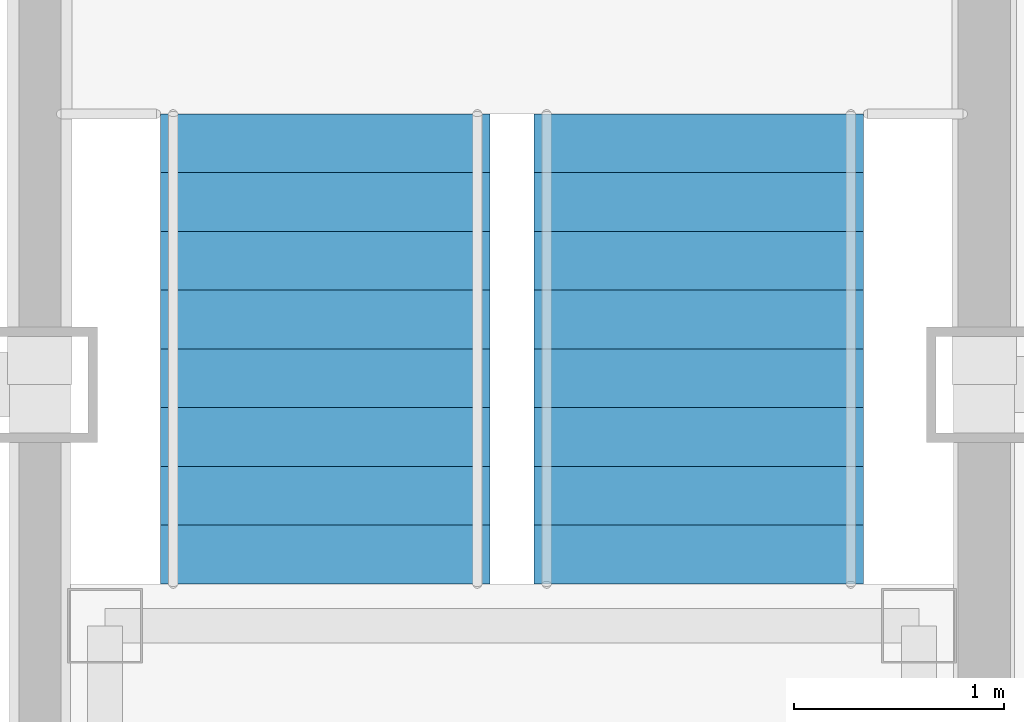
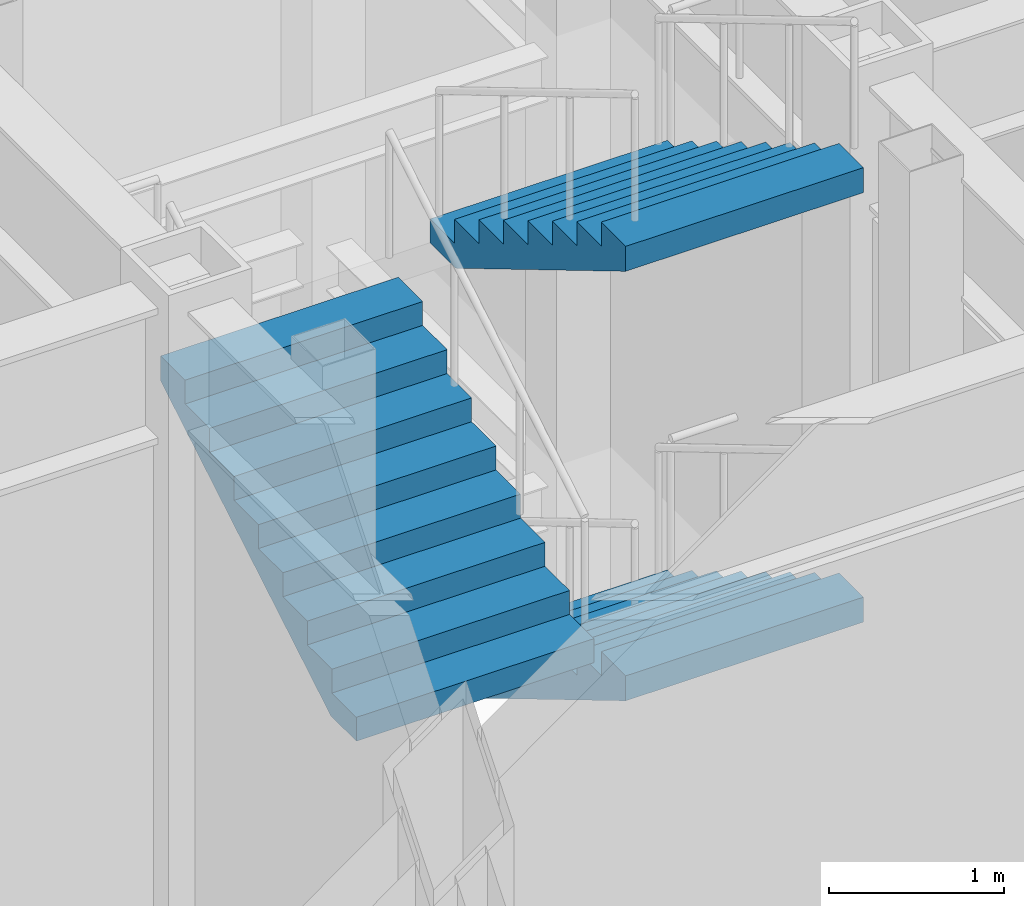
# One storey, part 21 of 29: 3 stair flights, 1 element without a shape of its own.
"""IFC4 building model written with IfcOpenShell, lengths in metres."""

import ifcopenshell
import ifcopenshell.guid

model = None  # the IFC model being written
_history = None  # IfcOwnerHistory: only IFC2X3 demands one
_inside = {}  # id of a spatial element -> (the spatial element, [elements in it])
_under = {}  # id of a project, library or spatial element -> (it, [spatial elements below it])
_declared = {}  # id of a project -> (the project, [libraries it declares])
_typed = {}  # id of a type object -> (the type object, [elements of that type])
_made_of = {}  # id of a material, layer set ... -> (it, [elements and type objects made of it])


def new_model(schema):
    """Start an empty IFC model of exactly this schema.

    Asked for "IFC4X3", IfcOpenShell would pick the latest addendum, in which some entities
    have other attributes; the version numbers below select the first issue.
    IFC2X3 requires an IfcOwnerHistory on every rooted entity: one is made here for all.
    """
    global model, _history
    if schema == "IFC4X3":
        model = ifcopenshell.file(schema_version=(4, 3, 0, 0))
    else:
        model = ifcopenshell.file(schema=schema)
    _inside.clear()
    _under.clear()
    _declared.clear()
    _typed.clear()
    _made_of.clear()
    _history = None
    if model.schema == "IFC2X3":
        org = make("IfcOrganization", Name="unknown")
        user = make(
            "IfcPersonAndOrganization",
            ThePerson=make("IfcPerson", FamilyName="unknown"),
            TheOrganization=org,
        )
        app = make(
            "IfcApplication",
            ApplicationDeveloper=org,
            Version="unknown",
            ApplicationFullName="unknown",
            ApplicationIdentifier="unknown",
        )
        _history = make(
            "IfcOwnerHistory",
            OwningUser=user,
            OwningApplication=app,
            ChangeAction="ADDED",
            CreationDate=0,
        )
    return model


def make(cls, **values):
    """One entity of the class cls with the attributes given. An attribute that is None is left unset."""
    return model.create_entity(
        cls, **{name: value for name, value in values.items() if value is not None}
    )


def rooted(cls, **values):
    """An entity with a GlobalId (a new one), such as an element, a storey or a relation."""
    return make(cls, GlobalId=ifcopenshell.guid.new(), OwnerHistory=_history, **values)


def si_unit(unit_type, name, prefix=None):
    """IfcSIUnit, for example si_unit("LENGTHUNIT", "METRE", prefix="MILLI")."""
    return make("IfcSIUnit", UnitType=unit_type, Prefix=prefix, Name=name)


def assignment(units):
    """IfcUnitAssignment: the units of a project."""
    return None if units is None else make("IfcUnitAssignment", Units=units)


def point(xyz):
    """IfcCartesianPoint."""
    return None if xyz is None else make("IfcCartesianPoint", Coordinates=xyz)


def direction(xyz):
    """IfcDirection."""
    return None if xyz is None else make("IfcDirection", DirectionRatios=xyz)


def frame(location, z_axis=None, x_axis=None):
    """IfcAxis2Placement3D, a coordinate frame: its origin and axes. An axis left out is left unset."""
    return make(
        "IfcAxis2Placement3D",
        Location=point(location),
        Axis=direction(z_axis),
        RefDirection=direction(x_axis),
    )


def origin():
    """The frame at (0, 0, 0) with its axes left unset."""
    return frame((0.0, 0.0, 0.0))


def place(relative_to, where):
    """IfcLocalPlacement: puts the frame where relative to a parent placement (None: the world)."""
    return make(
        "IfcLocalPlacement", PlacementRelTo=relative_to, RelativePlacement=where
    )


def context(
    kind, dimensions, precision=None, world=None, true_north=None, identifier=None
):
    """IfcGeometricRepresentationContext, for example the 3D "Model" context."""
    return make(
        "IfcGeometricRepresentationContext",
        ContextIdentifier=identifier,
        ContextType=kind,
        CoordinateSpaceDimension=dimensions,
        Precision=precision,
        WorldCoordinateSystem=world,
        TrueNorth=true_north,
    )


def subcontext(parent, identifier, kind, view, scale=None):
    """IfcGeometricRepresentationSubContext, for example "Body" below "Model"."""
    return make(
        "IfcGeometricRepresentationSubContext",
        ContextIdentifier=identifier,
        ContextType=kind,
        ParentContext=parent,
        TargetScale=scale,
        TargetView=view,
    )


def project(units=None, contexts=None):
    """IfcProject with its units and contexts."""
    return rooted(
        "IfcProject",
        Name="project",
        RepresentationContexts=contexts,
        UnitsInContext=assignment(units),
    )


def spatial(cls, under=None, at=None, **own):
    """A site, building, storey or space (cls), placed at a placement, below another one or the project."""
    s = rooted(cls, ObjectPlacement=at, **own)
    if under is not None:
        _under.setdefault(under.id(), (under, []))[1].append(s)
    return s


def faces_of(points, faces, orient=None, outer=None):
    """IfcFace entities. A face is a list of loops; a loop is a list of indices into points, from 0.

    orient and outer hold one flag for each loop. By default every Orientation is true, the
    first loop of a face is its IfcFaceOuterBound and the others are IfcFaceBound.
    """
    made = []
    for i, loops in enumerate(faces):
        bounds = []
        for j, loop in enumerate(loops):
            is_outer = j == 0 if outer is None else outer[i][j]
            bounds.append(
                make(
                    "IfcFaceOuterBound" if is_outer else "IfcFaceBound",
                    Bound=make("IfcPolyLoop", Polygon=[points[k] for k in loop]),
                    Orientation=True if orient is None else orient[i][j],
                )
            )
        made.append(make("IfcFace", Bounds=bounds))
    return made


def faceted_brep(points, faces, orient=None, outer=None, voids=None):
    """IfcFacetedBrep: a solid bounded by flat faces; with voids (closed shells), ...WithVoids."""
    shared = [point(p) for p in points]
    hull = make("IfcClosedShell", CfsFaces=faces_of(shared, faces, orient, outer))
    if voids is None:
        return make("IfcFacetedBrep", Outer=hull)
    return make(
        "IfcFacetedBrepWithVoids",
        Outer=hull,
        Voids=[
            make(cls, CfsFaces=faces_of(shared, fs, o, b)) for cls, fs, o, b in voids
        ],
    )


def shape(context_of_items, identifier, shape_type, items):
    """IfcShapeRepresentation: the items that make up one representation, for example the "Body"."""
    return make(
        "IfcShapeRepresentation",
        ContextOfItems=context_of_items,
        RepresentationIdentifier=identifier,
        RepresentationType=shape_type,
        Items=items,
    )


def material(Name=None, Category=None):
    """IfcMaterial."""
    return make("IfcMaterial", Name=Name, Category=Category)


def made_of(thing, what):
    """Note that an element or type object is made of a material, layer set ...; save() writes the relation."""
    if what is not None:
        _made_of.setdefault(what.id(), (what, []))[1].append(thing)
    return thing


def type_object(cls, material=None, **own):
    """A type object (cls), such as IfcWallType, which elements share."""
    return made_of(rooted(cls, **own), material)


def element(
    cls,
    number,
    at=None,
    inside=None,
    cuts=None,
    type_object=None,
    material=None,
    context=None,
    identifier="Body",
    shape_type=None,
    held_by="IfcProductDefinitionShape",
    body=None,
    shapes=None,
    **own,
):
    """One element of the class cls, such as IfcWall. Its Tag is "e" and its number.

    at: its placement. inside: the storey or other place that contains it. cuts: it is an
    opening in that element (IfcRelVoidsElement). A single representation is given by context,
    identifier, shape_type and body (its items); several are given by shapes. held_by: the class
    of the entity that holds the representations. save() writes the other relations.
    """
    e = rooted(cls, Tag="e%d" % number, ObjectPlacement=at, **own)
    if body is not None:
        shapes = [shape(context, identifier, shape_type, body)]
    if shapes is not None:
        e.Representation = make(held_by, Representations=shapes)
    if inside is not None:
        _inside.setdefault(inside.id(), (inside, []))[1].append(e)
    if cuts is not None:
        rooted(
            "IfcRelVoidsElement", RelatingBuildingElement=cuts, RelatedOpeningElement=e
        )
    if type_object is not None:
        _typed.setdefault(type_object.id(), (type_object, []))[1].append(e)
    return made_of(e, material)


def aggregate(whole, parts):
    """IfcRelAggregates: a whole, such as a stair, and the parts it consists of."""
    return rooted("IfcRelAggregates", RelatingObject=whole, RelatedObjects=parts)


def save(model, path):
    """Write the relations noted so far, then the file.

    IfcRelAggregates (storeys below a building ...), IfcRelContainedInSpatialStructure (elements
    in a storey), IfcRelDefinesByType, IfcRelAssociatesMaterial and IfcRelDeclares: one each for
    every whole, place, type object, material and project.
    """
    for whole, parts in _under.values():
        aggregate(whole, parts)
    for where, things in _inside.values():
        rooted(
            "IfcRelContainedInSpatialStructure",
            RelatedElements=things,
            RelatingStructure=where,
        )
    for kind, things in _typed.values():
        rooted("IfcRelDefinesByType", RelatedObjects=things, RelatingType=kind)
    for what, things in _made_of.values():
        rooted("IfcRelAssociatesMaterial", RelatedObjects=things, RelatingMaterial=what)
    for by, libraries in _declared.values():
        rooted("IfcRelDeclares", RelatingContext=by, RelatedDefinitions=libraries)
    model.write(path)


model = new_model("IFC4")

# Units and contexts
model_context = context("Model", 3, precision=1e-05, world=origin(), true_north=direction((0.0, 1.0)))
body_context = subcontext(model_context, "Body", "Model", "MODEL_VIEW")
ifc_project = project(units=[si_unit("LENGTHUNIT", "METRE"), si_unit("AREAUNIT", "SQUARE_METRE"), si_unit("VOLUMEUNIT", "CUBIC_METRE"), si_unit("PLANEANGLEUNIT", "RADIAN"), si_unit("MASSUNIT", "GRAM", prefix="KILO")], contexts=[model_context])

# Site, building, storey
site_placement = place(None, origin())
site = spatial("IfcSite", under=ifc_project, at=site_placement, CompositionType="ELEMENT")
building_placement = place(site_placement, origin())
building = spatial("IfcBuilding", under=site, at=building_placement, Name="Chuquiago Exchange Tower", CompositionType="ELEMENT")
storey_placement = place(building_placement, frame((0.0, 0.0, 251.699951171875)))
storey = spatial("IfcBuildingStorey", under=building, at=storey_placement, Name="L56", CompositionType="ELEMENT", Elevation=251.699951171875)

# Stair, stair flights
ifc_material_1 = material(Name="Concrete C30/37, precast", Category="concrete")
stair_type = type_object("IfcStairType", Name="ST2 double half-turn stair 6000", PredefinedType="DOUBLE_RETURN_STAIR", material=ifc_material_1)
stair_placement = place(storey_placement, origin())
stair = element("IfcStair", 1, at=stair_placement, inside=storey, type_object=stair_type, Name="Stair ST2 L56", PredefinedType="DOUBLE_RETURN_STAIR")
ifc_material_2 = material(Name="Concrete C30/37, precast", Category="concrete")
stair_flight_type = type_object("IfcStairFlightType", Name="ST-F flight 1570 for 6000 storey", PredefinedType="STRAIGHT", material=ifc_material_2)
stair_flight_1_placement = place(storey_placement, frame((31.639892578125, 25.2900390625, 1.5), z_axis=(0.0, 0.0, 1.0), x_axis=(0.0, -1.0, 0.0)))
stair_flight_1 = element("IfcStairFlight", 2, at=stair_flight_1_placement, type_object=stair_flight_type, Name="ST2 flight 2", NumberOfRisers=9, NumberOfTreads=8, PredefinedType="STRAIGHT", RiserHeight=0.166666667, TreadLength=0.28, context=body_context, shape_type="Brep", body=[
    faceted_brep([(0.0, 0.78515625, 0.0), (0.0, 0.78515625, 0.166748046875), (0.280029296875, 0.78515625, 0.166748046875), (0.280029296875, 0.78515625, 0.333251953125), (0.56005859375, 0.78515625, 0.333251953125), (0.56005859375, 0.78515625, 0.5), (0.840087890625, 0.78515625, 0.5), (0.840087890625, 0.78515625, 0.666748046875), (1.1201171875, 0.78515625, 0.666748046875), (1.1201171875, 0.78515625, 0.833251953125), (1.39990234375, 0.78515625, 0.833251953125), (1.39990234375, 0.78515625, 1.0), (1.679931640625, 0.78515625, 1.0), (1.679931640625, 0.78515625, 1.166748046875), (1.9599609375, 0.78515625, 1.166748046875), (1.9599609375, 0.78515625, 1.333251953125), (2.239990234375, 0.78515625, 1.333251953125), (2.239990234375, 0.78515625, 1.158935546875), (0.29296875, 0.78515625, 0.0), (0.29296875, -0.78515625, 0.0), (2.239990234375, -0.78515625, 1.158935546875), (2.239990234375, -0.78515625, 1.333251953125), (1.9599609375, -0.78515625, 1.333251953125), (1.9599609375, -0.78515625, 1.166748046875), (1.679931640625, -0.78515625, 1.166748046875), (1.679931640625, -0.78515625, 1.0), (1.39990234375, -0.78515625, 1.0), (1.39990234375, -0.78515625, 0.833251953125), (1.1201171875, -0.78515625, 0.833251953125), (1.1201171875, -0.78515625, 0.666748046875), (0.840087890625, -0.78515625, 0.666748046875), (0.840087890625, -0.78515625, 0.5), (0.56005859375, -0.78515625, 0.5), (0.56005859375, -0.78515625, 0.333251953125), (0.280029296875, -0.78515625, 0.333251953125), (0.280029296875, -0.78515625, 0.166748046875), (0.0, -0.78515625, 0.166748046875), (0.0, -0.78515625, 0.0), (0.0, 0.392578125, 0.0), (0.0, 0.392578125, 0.166748046875), (0.0, 0.0, 0.0), (0.0, 0.0, 0.166748046875), (0.0, -0.392578125, 0.0), (0.0, -0.392578125, 0.166748046875), (0.280029296875, 0.392578125, 0.166748046875), (0.280029296875, 0.0, 0.166748046875), (0.280029296875, -0.392578125, 0.166748046875), (0.280029296875, 0.392578125, 0.333251953125), (0.280029296875, 0.0, 0.333251953125), (0.280029296875, -0.392578125, 0.333251953125), (0.56005859375, 0.392578125, 0.333251953125), (0.56005859375, 0.0, 0.333251953125), (0.56005859375, -0.392578125, 0.333251953125), (0.56005859375, 0.392578125, 0.5), (0.56005859375, 0.0, 0.5), (0.56005859375, -0.392578125, 0.5), (0.840087890625, 0.392578125, 0.5), (0.840087890625, 0.0, 0.5), (0.840087890625, -0.392578125, 0.5), (0.840087890625, 0.392578125, 0.666748046875), (0.840087890625, 0.0, 0.666748046875), (0.840087890625, -0.392578125, 0.666748046875), (1.1201171875, 0.392578125, 0.666748046875), (1.1201171875, 0.0, 0.666748046875), (1.1201171875, -0.392578125, 0.666748046875), (1.1201171875, 0.392578125, 0.833251953125), (1.1201171875, 0.0, 0.833251953125), (1.1201171875, -0.392578125, 0.833251953125), (1.39990234375, 0.392578125, 0.833251953125), (1.39990234375, 0.0, 0.833251953125), (1.39990234375, -0.392578125, 0.833251953125), (1.39990234375, 0.392578125, 1.0), (1.39990234375, 0.0, 1.0), (1.39990234375, -0.392578125, 1.0), (1.679931640625, 0.392578125, 1.0), (1.679931640625, 0.0, 1.0), (1.679931640625, -0.392578125, 1.0), (1.679931640625, 0.392578125, 1.166748046875), (1.679931640625, 0.0, 1.166748046875), (1.679931640625, -0.392578125, 1.166748046875), (1.9599609375, 0.392578125, 1.166748046875), (1.9599609375, 0.0, 1.166748046875), (1.9599609375, -0.392578125, 1.166748046875), (1.9599609375, 0.392578125, 1.333251953125), (1.9599609375, 0.0, 1.333251953125), (1.9599609375, -0.392578125, 1.333251953125), (2.239990234375, 0.392578125, 1.333251953125), (2.239990234375, 0.0, 1.333251953125), (2.239990234375, -0.392578125, 1.333251953125), (2.239990234375, 0.392578125, 1.158935546875), (2.239990234375, 0.0, 1.158935546875), (2.239990234375, -0.392578125, 1.158935546875), (0.29296875, 0.392578125, 0.0), (0.29296875, 0.0, 0.0), (0.29296875, -0.392578125, 0.0)], [[[0, 1, 2, 3, 4, 5, 6, 7, 8, 9, 10, 11, 12, 13, 14, 15, 16, 17, 18]], [[19, 20, 21, 22, 23, 24, 25, 26, 27, 28, 29, 30, 31, 32, 33, 34, 35, 36, 37]], [[1, 0, 38, 39]], [[39, 38, 40, 41]], [[41, 40, 42, 43]], [[43, 42, 37, 36]], [[2, 1, 39, 44]], [[44, 39, 41, 45]], [[45, 41, 43, 46]], [[46, 43, 36, 35]], [[3, 2, 44, 47]], [[47, 44, 45, 48]], [[48, 45, 46, 49]], [[49, 46, 35, 34]], [[4, 3, 47, 50]], [[50, 47, 48, 51]], [[51, 48, 49, 52]], [[52, 49, 34, 33]], [[5, 4, 50, 53]], [[53, 50, 51, 54]], [[54, 51, 52, 55]], [[55, 52, 33, 32]], [[6, 5, 53, 56]], [[56, 53, 54, 57]], [[57, 54, 55, 58]], [[58, 55, 32, 31]], [[7, 6, 56, 59]], [[59, 56, 57, 60]], [[60, 57, 58, 61]], [[61, 58, 31, 30]], [[8, 7, 59, 62]], [[62, 59, 60, 63]], [[63, 60, 61, 64]], [[64, 61, 30, 29]], [[9, 8, 62, 65]], [[65, 62, 63, 66]], [[66, 63, 64, 67]], [[67, 64, 29, 28]], [[10, 9, 65, 68]], [[68, 65, 66, 69]], [[69, 66, 67, 70]], [[70, 67, 28, 27]], [[11, 10, 68, 71]], [[71, 68, 69, 72]], [[72, 69, 70, 73]], [[73, 70, 27, 26]], [[12, 11, 71, 74]], [[74, 71, 72, 75]], [[75, 72, 73, 76]], [[76, 73, 26, 25]], [[13, 12, 74, 77]], [[77, 74, 75, 78]], [[78, 75, 76, 79]], [[79, 76, 25, 24]], [[14, 13, 77, 80]], [[80, 77, 78, 81]], [[81, 78, 79, 82]], [[82, 79, 24, 23]], [[15, 14, 80, 83]], [[83, 80, 81, 84]], [[84, 81, 82, 85]], [[85, 82, 23, 22]], [[16, 15, 83, 86]], [[86, 83, 84, 87]], [[87, 84, 85, 88]], [[88, 85, 22, 21]], [[17, 16, 86, 89]], [[89, 86, 87, 90]], [[90, 87, 88, 91]], [[91, 88, 21, 20]], [[18, 17, 89, 92]], [[92, 89, 90, 93]], [[93, 90, 91, 94]], [[94, 91, 20, 19]], [[0, 18, 92, 38]], [[38, 92, 93, 40]], [[40, 93, 94, 42]], [[42, 94, 19, 37]]]),
])
stair_flight_2_placement = place(storey_placement, frame((29.860107421875, 23.050048828125, 3.0), z_axis=(0.0, 0.0, 1.0), x_axis=(0.0, 1.0, 0.0)))
stair_flight_2 = element("IfcStairFlight", 3, at=stair_flight_2_placement, type_object=stair_flight_type, Name="ST2 flight 3", NumberOfRisers=9, NumberOfTreads=8, PredefinedType="STRAIGHT", RiserHeight=0.166666667, TreadLength=0.28, context=body_context, shape_type="Brep", body=[
    faceted_brep([(0.0, 0.78515625, 0.0), (0.0, 0.78515625, 0.166748046875), (0.280029296875, 0.78515625, 0.166748046875), (0.280029296875, 0.78515625, 0.333251953125), (0.56005859375, 0.78515625, 0.333251953125), (0.56005859375, 0.78515625, 0.5), (0.840087890625, 0.78515625, 0.5), (0.840087890625, 0.78515625, 0.666748046875), (1.1201171875, 0.78515625, 0.666748046875), (1.1201171875, 0.78515625, 0.833251953125), (1.39990234375, 0.78515625, 0.833251953125), (1.39990234375, 0.78515625, 1.0), (1.679931640625, 0.78515625, 1.0), (1.679931640625, 0.78515625, 1.166748046875), (1.9599609375, 0.78515625, 1.166748046875), (1.9599609375, 0.78515625, 1.333251953125), (2.239990234375, 0.78515625, 1.333251953125), (2.239990234375, 0.78515625, 1.158935546875), (0.29296875, 0.78515625, 0.0), (0.29296875, -0.78515625, 0.0), (2.239990234375, -0.78515625, 1.158935546875), (2.239990234375, -0.78515625, 1.333251953125), (1.9599609375, -0.78515625, 1.333251953125), (1.9599609375, -0.78515625, 1.166748046875), (1.679931640625, -0.78515625, 1.166748046875), (1.679931640625, -0.78515625, 1.0), (1.39990234375, -0.78515625, 1.0), (1.39990234375, -0.78515625, 0.833251953125), (1.1201171875, -0.78515625, 0.833251953125), (1.1201171875, -0.78515625, 0.666748046875), (0.840087890625, -0.78515625, 0.666748046875), (0.840087890625, -0.78515625, 0.5), (0.56005859375, -0.78515625, 0.5), (0.56005859375, -0.78515625, 0.333251953125), (0.280029296875, -0.78515625, 0.333251953125), (0.280029296875, -0.78515625, 0.166748046875), (0.0, -0.78515625, 0.166748046875), (0.0, -0.78515625, 0.0), (0.0, 0.392578125, 0.0), (0.0, 0.392578125, 0.166748046875), (0.0, 0.0, 0.0), (0.0, 0.0, 0.166748046875), (0.0, -0.392578125, 0.0), (0.0, -0.392578125, 0.166748046875), (0.280029296875, 0.392578125, 0.166748046875), (0.280029296875, 0.0, 0.166748046875), (0.280029296875, -0.392578125, 0.166748046875), (0.280029296875, 0.392578125, 0.333251953125), (0.280029296875, 0.0, 0.333251953125), (0.280029296875, -0.392578125, 0.333251953125), (0.56005859375, 0.392578125, 0.333251953125), (0.56005859375, 0.0, 0.333251953125), (0.56005859375, -0.392578125, 0.333251953125), (0.56005859375, 0.392578125, 0.5), (0.56005859375, 0.0, 0.5), (0.56005859375, -0.392578125, 0.5), (0.840087890625, 0.392578125, 0.5), (0.840087890625, 0.0, 0.5), (0.840087890625, -0.392578125, 0.5), (0.840087890625, 0.392578125, 0.666748046875), (0.840087890625, 0.0, 0.666748046875), (0.840087890625, -0.392578125, 0.666748046875), (1.1201171875, 0.392578125, 0.666748046875), (1.1201171875, 0.0, 0.666748046875), (1.1201171875, -0.392578125, 0.666748046875), (1.1201171875, 0.392578125, 0.833251953125), (1.1201171875, 0.0, 0.833251953125), (1.1201171875, -0.392578125, 0.833251953125), (1.39990234375, 0.392578125, 0.833251953125), (1.39990234375, 0.0, 0.833251953125), (1.39990234375, -0.392578125, 0.833251953125), (1.39990234375, 0.392578125, 1.0), (1.39990234375, 0.0, 1.0), (1.39990234375, -0.392578125, 1.0), (1.679931640625, 0.392578125, 1.0), (1.679931640625, 0.0, 1.0), (1.679931640625, -0.392578125, 1.0), (1.679931640625, 0.392578125, 1.166748046875), (1.679931640625, 0.0, 1.166748046875), (1.679931640625, -0.392578125, 1.166748046875), (1.9599609375, 0.392578125, 1.166748046875), (1.9599609375, 0.0, 1.166748046875), (1.9599609375, -0.392578125, 1.166748046875), (1.9599609375, 0.392578125, 1.333251953125), (1.9599609375, 0.0, 1.333251953125), (1.9599609375, -0.392578125, 1.333251953125), (2.239990234375, 0.392578125, 1.333251953125), (2.239990234375, 0.0, 1.333251953125), (2.239990234375, -0.392578125, 1.333251953125), (2.239990234375, 0.392578125, 1.158935546875), (2.239990234375, 0.0, 1.158935546875), (2.239990234375, -0.392578125, 1.158935546875), (0.29296875, 0.392578125, 0.0), (0.29296875, 0.0, 0.0), (0.29296875, -0.392578125, 0.0)], [[[0, 1, 2, 3, 4, 5, 6, 7, 8, 9, 10, 11, 12, 13, 14, 15, 16, 17, 18]], [[19, 20, 21, 22, 23, 24, 25, 26, 27, 28, 29, 30, 31, 32, 33, 34, 35, 36, 37]], [[1, 0, 38, 39]], [[39, 38, 40, 41]], [[41, 40, 42, 43]], [[43, 42, 37, 36]], [[2, 1, 39, 44]], [[44, 39, 41, 45]], [[45, 41, 43, 46]], [[46, 43, 36, 35]], [[3, 2, 44, 47]], [[47, 44, 45, 48]], [[48, 45, 46, 49]], [[49, 46, 35, 34]], [[4, 3, 47, 50]], [[50, 47, 48, 51]], [[51, 48, 49, 52]], [[52, 49, 34, 33]], [[5, 4, 50, 53]], [[53, 50, 51, 54]], [[54, 51, 52, 55]], [[55, 52, 33, 32]], [[6, 5, 53, 56]], [[56, 53, 54, 57]], [[57, 54, 55, 58]], [[58, 55, 32, 31]], [[7, 6, 56, 59]], [[59, 56, 57, 60]], [[60, 57, 58, 61]], [[61, 58, 31, 30]], [[8, 7, 59, 62]], [[62, 59, 60, 63]], [[63, 60, 61, 64]], [[64, 61, 30, 29]], [[9, 8, 62, 65]], [[65, 62, 63, 66]], [[66, 63, 64, 67]], [[67, 64, 29, 28]], [[10, 9, 65, 68]], [[68, 65, 66, 69]], [[69, 66, 67, 70]], [[70, 67, 28, 27]], [[11, 10, 68, 71]], [[71, 68, 69, 72]], [[72, 69, 70, 73]], [[73, 70, 27, 26]], [[12, 11, 71, 74]], [[74, 71, 72, 75]], [[75, 72, 73, 76]], [[76, 73, 26, 25]], [[13, 12, 74, 77]], [[77, 74, 75, 78]], [[78, 75, 76, 79]], [[79, 76, 25, 24]], [[14, 13, 77, 80]], [[80, 77, 78, 81]], [[81, 78, 79, 82]], [[82, 79, 24, 23]], [[15, 14, 80, 83]], [[83, 80, 81, 84]], [[84, 81, 82, 85]], [[85, 82, 23, 22]], [[16, 15, 83, 86]], [[86, 83, 84, 87]], [[87, 84, 85, 88]], [[88, 85, 22, 21]], [[17, 16, 86, 89]], [[89, 86, 87, 90]], [[90, 87, 88, 91]], [[91, 88, 21, 20]], [[18, 17, 89, 92]], [[92, 89, 90, 93]], [[93, 90, 91, 94]], [[94, 91, 20, 19]], [[0, 18, 92, 38]], [[38, 92, 93, 40]], [[40, 93, 94, 42]], [[42, 94, 19, 37]]]),
])
stair_flight_3_placement = place(storey_placement, frame((31.639892578125, 25.2900390625, 4.5), z_axis=(0.0, 0.0, 1.0), x_axis=(0.0, -1.0, 0.0)))
stair_flight_3 = element("IfcStairFlight", 4, at=stair_flight_3_placement, type_object=stair_flight_type, Name="ST2 flight 4", NumberOfRisers=9, NumberOfTreads=8, PredefinedType="STRAIGHT", RiserHeight=0.166666667, TreadLength=0.28, context=body_context, shape_type="Brep", body=[
    faceted_brep([(0.0, 0.78515625, 0.0), (0.0, 0.78515625, 0.166748046875), (0.280029296875, 0.78515625, 0.166748046875), (0.280029296875, 0.78515625, 0.333251953125), (0.56005859375, 0.78515625, 0.333251953125), (0.56005859375, 0.78515625, 0.5), (0.840087890625, 0.78515625, 0.5), (0.840087890625, 0.78515625, 0.666748046875), (1.1201171875, 0.78515625, 0.666748046875), (1.1201171875, 0.78515625, 0.833251953125), (1.39990234375, 0.78515625, 0.833251953125), (1.39990234375, 0.78515625, 1.0), (1.679931640625, 0.78515625, 1.0), (1.679931640625, 0.78515625, 1.166748046875), (1.9599609375, 0.78515625, 1.166748046875), (1.9599609375, 0.78515625, 1.333251953125), (2.239990234375, 0.78515625, 1.333251953125), (2.239990234375, 0.78515625, 1.158935546875), (0.29296875, 0.78515625, 0.0), (0.29296875, -0.78515625, 0.0), (2.239990234375, -0.78515625, 1.158935546875), (2.239990234375, -0.78515625, 1.333251953125), (1.9599609375, -0.78515625, 1.333251953125), (1.9599609375, -0.78515625, 1.166748046875), (1.679931640625, -0.78515625, 1.166748046875), (1.679931640625, -0.78515625, 1.0), (1.39990234375, -0.78515625, 1.0), (1.39990234375, -0.78515625, 0.833251953125), (1.1201171875, -0.78515625, 0.833251953125), (1.1201171875, -0.78515625, 0.666748046875), (0.840087890625, -0.78515625, 0.666748046875), (0.840087890625, -0.78515625, 0.5), (0.56005859375, -0.78515625, 0.5), (0.56005859375, -0.78515625, 0.333251953125), (0.280029296875, -0.78515625, 0.333251953125), (0.280029296875, -0.78515625, 0.166748046875), (0.0, -0.78515625, 0.166748046875), (0.0, -0.78515625, 0.0), (0.0, 0.392578125, 0.0), (0.0, 0.392578125, 0.166748046875), (0.0, 0.0, 0.0), (0.0, 0.0, 0.166748046875), (0.0, -0.392578125, 0.0), (0.0, -0.392578125, 0.166748046875), (0.280029296875, 0.392578125, 0.166748046875), (0.280029296875, 0.0, 0.166748046875), (0.280029296875, -0.392578125, 0.166748046875), (0.280029296875, 0.392578125, 0.333251953125), (0.280029296875, 0.0, 0.333251953125), (0.280029296875, -0.392578125, 0.333251953125), (0.56005859375, 0.392578125, 0.333251953125), (0.56005859375, 0.0, 0.333251953125), (0.56005859375, -0.392578125, 0.333251953125), (0.56005859375, 0.392578125, 0.5), (0.56005859375, 0.0, 0.5), (0.56005859375, -0.392578125, 0.5), (0.840087890625, 0.392578125, 0.5), (0.840087890625, 0.0, 0.5), (0.840087890625, -0.392578125, 0.5), (0.840087890625, 0.392578125, 0.666748046875), (0.840087890625, 0.0, 0.666748046875), (0.840087890625, -0.392578125, 0.666748046875), (1.1201171875, 0.392578125, 0.666748046875), (1.1201171875, 0.0, 0.666748046875), (1.1201171875, -0.392578125, 0.666748046875), (1.1201171875, 0.392578125, 0.833251953125), (1.1201171875, 0.0, 0.833251953125), (1.1201171875, -0.392578125, 0.833251953125), (1.39990234375, 0.392578125, 0.833251953125), (1.39990234375, 0.0, 0.833251953125), (1.39990234375, -0.392578125, 0.833251953125), (1.39990234375, 0.392578125, 1.0), (1.39990234375, 0.0, 1.0), (1.39990234375, -0.392578125, 1.0), (1.679931640625, 0.392578125, 1.0), (1.679931640625, 0.0, 1.0), (1.679931640625, -0.392578125, 1.0), (1.679931640625, 0.392578125, 1.166748046875), (1.679931640625, 0.0, 1.166748046875), (1.679931640625, -0.392578125, 1.166748046875), (1.9599609375, 0.392578125, 1.166748046875), (1.9599609375, 0.0, 1.166748046875), (1.9599609375, -0.392578125, 1.166748046875), (1.9599609375, 0.392578125, 1.333251953125), (1.9599609375, 0.0, 1.333251953125), (1.9599609375, -0.392578125, 1.333251953125), (2.239990234375, 0.392578125, 1.333251953125), (2.239990234375, 0.0, 1.333251953125), (2.239990234375, -0.392578125, 1.333251953125), (2.239990234375, 0.392578125, 1.158935546875), (2.239990234375, 0.0, 1.158935546875), (2.239990234375, -0.392578125, 1.158935546875), (0.29296875, 0.392578125, 0.0), (0.29296875, 0.0, 0.0), (0.29296875, -0.392578125, 0.0)], [[[0, 1, 2, 3, 4, 5, 6, 7, 8, 9, 10, 11, 12, 13, 14, 15, 16, 17, 18]], [[19, 20, 21, 22, 23, 24, 25, 26, 27, 28, 29, 30, 31, 32, 33, 34, 35, 36, 37]], [[1, 0, 38, 39]], [[39, 38, 40, 41]], [[41, 40, 42, 43]], [[43, 42, 37, 36]], [[2, 1, 39, 44]], [[44, 39, 41, 45]], [[45, 41, 43, 46]], [[46, 43, 36, 35]], [[3, 2, 44, 47]], [[47, 44, 45, 48]], [[48, 45, 46, 49]], [[49, 46, 35, 34]], [[4, 3, 47, 50]], [[50, 47, 48, 51]], [[51, 48, 49, 52]], [[52, 49, 34, 33]], [[5, 4, 50, 53]], [[53, 50, 51, 54]], [[54, 51, 52, 55]], [[55, 52, 33, 32]], [[6, 5, 53, 56]], [[56, 53, 54, 57]], [[57, 54, 55, 58]], [[58, 55, 32, 31]], [[7, 6, 56, 59]], [[59, 56, 57, 60]], [[60, 57, 58, 61]], [[61, 58, 31, 30]], [[8, 7, 59, 62]], [[62, 59, 60, 63]], [[63, 60, 61, 64]], [[64, 61, 30, 29]], [[9, 8, 62, 65]], [[65, 62, 63, 66]], [[66, 63, 64, 67]], [[67, 64, 29, 28]], [[10, 9, 65, 68]], [[68, 65, 66, 69]], [[69, 66, 67, 70]], [[70, 67, 28, 27]], [[11, 10, 68, 71]], [[71, 68, 69, 72]], [[72, 69, 70, 73]], [[73, 70, 27, 26]], [[12, 11, 71, 74]], [[74, 71, 72, 75]], [[75, 72, 73, 76]], [[76, 73, 26, 25]], [[13, 12, 74, 77]], [[77, 74, 75, 78]], [[78, 75, 76, 79]], [[79, 76, 25, 24]], [[14, 13, 77, 80]], [[80, 77, 78, 81]], [[81, 78, 79, 82]], [[82, 79, 24, 23]], [[15, 14, 80, 83]], [[83, 80, 81, 84]], [[84, 81, 82, 85]], [[85, 82, 23, 22]], [[16, 15, 83, 86]], [[86, 83, 84, 87]], [[87, 84, 85, 88]], [[88, 85, 22, 21]], [[17, 16, 86, 89]], [[89, 86, 87, 90]], [[90, 87, 88, 91]], [[91, 88, 21, 20]], [[18, 17, 89, 92]], [[92, 89, 90, 93]], [[93, 90, 91, 94]], [[94, 91, 20, 19]], [[0, 18, 92, 38]], [[38, 92, 93, 40]], [[40, 93, 94, 42]], [[42, 94, 19, 37]]]),
])
aggregate(stair, [stair_flight_1, stair_flight_2, stair_flight_3])

save(model, "model.ifc")
